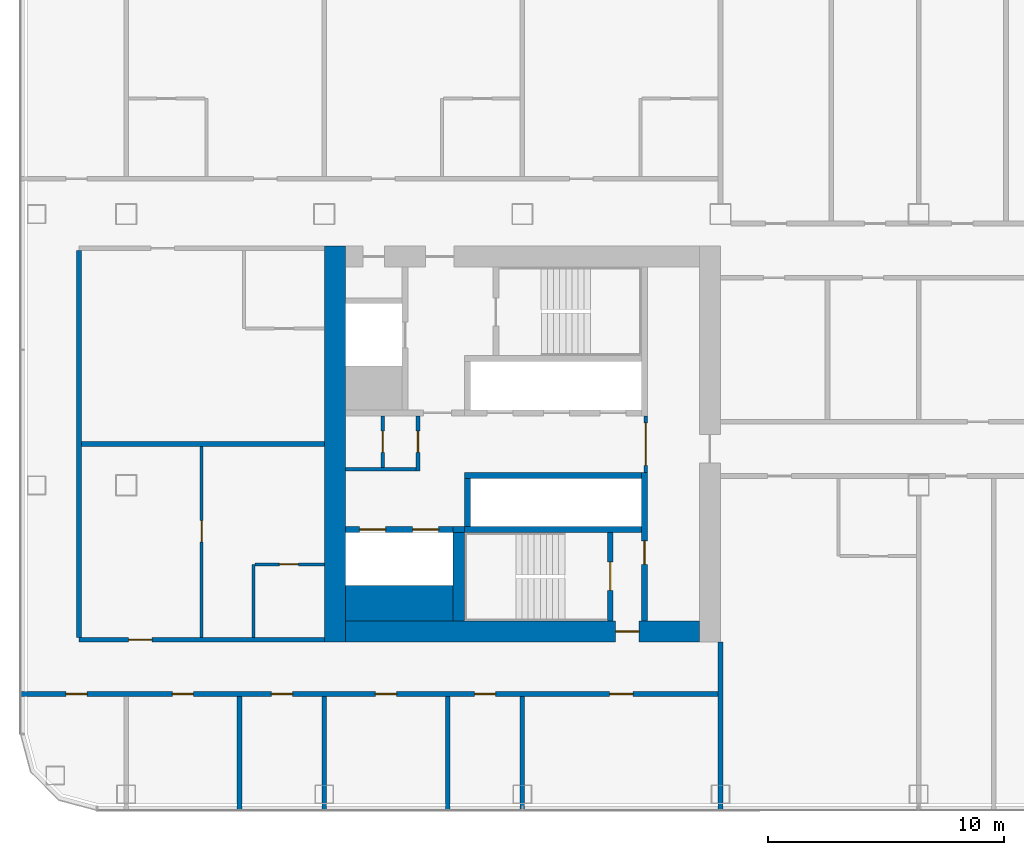
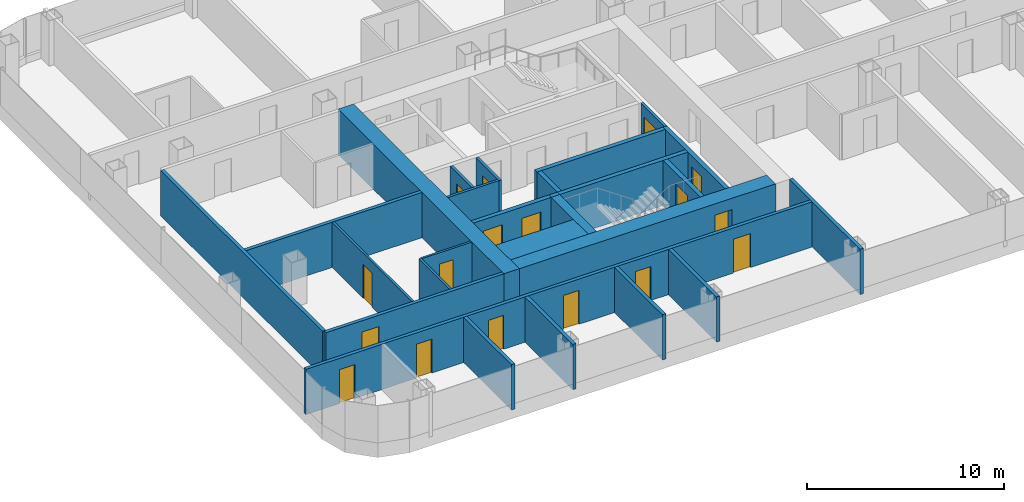
# One storey, part 15 of 29: 27 walls, 17 doors, 17 openings.
"""IFC4 building model written with IfcOpenShell, lengths in metres."""

from ifc_helpers import new_model, si_unit, direction, frame, frame_2d, origin, place, context, subcontext, project, spatial, rectangle, extrude, material, layer, layer_set, type_object, element, fill, save


model = new_model("IFC4")

# Units and contexts
model_context = context("Model", 3, precision=1e-05, world=origin(), true_north=direction((0.0, 1.0)))
body_context = subcontext(model_context, "Body", "Model", "MODEL_VIEW")
ifc_project = project(units=[si_unit("LENGTHUNIT", "METRE"), si_unit("AREAUNIT", "SQUARE_METRE"), si_unit("VOLUMEUNIT", "CUBIC_METRE"), si_unit("PLANEANGLEUNIT", "RADIAN"), si_unit("MASSUNIT", "GRAM", prefix="KILO")], contexts=[model_context])

# Site, building, storey
site_placement = place(None, origin())
site = spatial("IfcSite", under=ifc_project, at=site_placement, CompositionType="ELEMENT")
building_placement = place(site_placement, origin())
building = spatial("IfcBuilding", under=site, at=building_placement, Name="Hakoniwa Tower and Hamabe Station Hall", CompositionType="ELEMENT")
storey_placement = place(building_placement, frame((0.0, 0.0, 91.39990234375)))
storey = spatial("IfcBuildingStorey", under=building, at=storey_placement, Name="L25", CompositionType="ELEMENT", Elevation=91.39990234375)

# Wall, opening, door
ifc_material_1 = material(Name="Gypsum board partition", Category="gypsum")
ifc_layer_1 = layer(ifc_material_1, 0.125)
ifc_layer_set_1 = layer_set([ifc_layer_1], Name="Bathroom Partition 125")
wall_type_1 = type_object("IfcWallType", Name="Bathroom Partition 125", PredefinedType="PARTITIONING", material=ifc_layer_set_1)
wall_1_placement = place(storey_placement, frame((-36.53759765625, -5.10009765625, 0.0), z_axis=(0.0, 0.0, 1.0), x_axis=(1.0, 0.0, 0.0)))
wall_1 = element("IfcWall", 1, at=wall_1_placement, inside=storey, type_object=wall_type_1, Name="GW-L25-005", PredefinedType="PARTITIONING", context=body_context, shape_type="SweptSolid", body=[
    extrude(rectangle(XDim=2.9375, YDim=0.125, at=frame_2d((1.46875, 0.0))), origin(), (0.0, 0.0, 1.0), 2.800048828125),
])
opening_1_placement = place(wall_1_placement, frame((1.03759765625, 0.0, 0.0)))
opening_1 = element("IfcOpeningElement", 2, at=opening_1_placement, cuts=wall_1, Name="Opening GD-G2A1-16", PredefinedType="OPENING", context=body_context, shape_type="SweptSolid", body=[
    extrude(rectangle(XDim=0.800048828125, YDim=2.10009765625, at=frame_2d((0.39990234375, 1.050048828125))), frame((0.0, 0.072509765625, 0.0), z_axis=(0.0, -1.0, 0.0), x_axis=(1.0, 0.0, 0.0)), (0.0, 0.0, 1.0), 0.14501953125),
])
ifc_material_2 = material(Name="Timber door leaf", Category="wood")
door_type_1 = type_object("IfcDoorType", Name="Bathroom Door 800", OperationType="SINGLE_SWING_LEFT", PredefinedType="DOOR", material=ifc_material_2)
door_1_placement = place(opening_1_placement, origin())
door_1 = element("IfcDoor", 3, at=door_1_placement, inside=storey, type_object=door_type_1, Name="Door GD-G2A1-16", OperationType="SINGLE_SWING_LEFT", OverallHeight=2.10009765625, OverallWidth=0.800048828125, PredefinedType="DOOR", context=body_context, shape_type="SweptSolid", body=[
    extrude(rectangle(XDim=0.800048828125, YDim=2.10009765625, at=frame_2d((0.39990234375, 1.050048828125))), frame((0.0, 0.02490234375, 0.0), z_axis=(0.0, -1.0, 0.0), x_axis=(1.0, 0.0, 0.0)), (0.0, 0.0, 1.0), 0.050048828125),
])
fill(opening_1, door_1)

# Wall
wall_2_placement = place(storey_placement, frame((-36.60009765625, -8.199951171875, 0.0), z_axis=(0.0, 0.0, 1.0), x_axis=(0.0, 1.0, 0.0)))
element("IfcWall", 4, at=wall_2_placement, inside=storey, type_object=wall_type_1, Name="GW-L25-033", PredefinedType="PARTITIONING", context=body_context, shape_type="SweptSolid", body=[
    extrude(rectangle(XDim=3.099853515625, YDim=0.125, at=frame_2d((1.5498046875, 0.0))), origin(), (0.0, 0.0, 1.0), 2.800048828125),
])

# Wall, opening, door
ifc_material_3 = material(Name="Gypsum board partition")
ifc_layer_2 = layer(ifc_material_3, 0.14990234375)
ifc_layer_set_2 = layer_set([ifc_layer_2], Name="CORE PARTITION 150 EI 60")
wall_type_2 = type_object("IfcWallType", Name="CORE PARTITION 150 EI 60", PredefinedType="PARTITIONING", material=ifc_layer_set_2)
wall_3_placement = place(storey_placement, frame((-19.97509765625, -1.199951171875, 0.0), z_axis=(0.0, 0.0, 1.0), x_axis=(0.0, 1.0, 0.0)))
wall_3 = element("IfcWall", 5, at=wall_3_placement, inside=storey, type_object=wall_type_2, Name="Core partition PL0 west", PredefinedType="PARTITIONING", context=body_context, shape_type="SweptSolid", body=[
    extrude(rectangle(XDim=2.39990234375, YDim=0.14990234375, at=frame_2d((1.199951171875, 0.0))), origin(), (0.0, 0.0, 1.0), 2.800048828125),
])
opening_2_placement = place(wall_3_placement, frame((0.300048828125, 0.0, 0.0)))
opening_2 = element("IfcOpeningElement", 6, at=opening_2_placement, cuts=wall_3, Name="Opening CD-W-LP0-18", PredefinedType="OPENING", context=body_context, shape_type="SweptSolid", body=[
    extrude(rectangle(XDim=1.800048828125, YDim=2.10009765625, at=frame_2d((0.89990234375, 1.050048828125))), frame((0.0, 0.0849609375, 0.0), z_axis=(0.0, -1.0, 0.0), x_axis=(1.0, 0.0, 0.0)), (0.0, 0.0, 1.0), 0.169921875),
])
ifc_material_4 = material(Name="Steel fire door", Category="steel")
door_type_2 = type_object("IfcDoorType", Name="CORE DOOR 1800 FD60", OperationType="DOUBLE_DOOR_SINGLE_SWING", PredefinedType="DOOR", material=ifc_material_4)
door_2_placement = place(opening_2_placement, origin())
door_2 = element("IfcDoor", 7, at=door_2_placement, inside=storey, type_object=door_type_2, Name="Lift lobby partition door", OperationType="DOUBLE_DOOR_SINGLE_SWING", OverallHeight=2.10009765625, OverallWidth=1.800048828125, PredefinedType="DOOR", context=body_context, shape_type="SweptSolid", body=[
    extrude(rectangle(XDim=1.800048828125, YDim=2.10009765625, at=frame_2d((0.89990234375, 1.050048828125))), frame((0.0, 0.02490234375, 0.0), z_axis=(0.0, -1.0, 0.0), x_axis=(1.0, 0.0, 0.0)), (0.0, 0.0, 1.0), 0.050048828125),
])
fill(opening_2, door_2)

wall_4_placement = place(storey_placement, frame((-29.625, -1.14990234375, 0.0), z_axis=(0.0, 0.0, 1.0), x_axis=(0.0, 1.0, 0.0)))
wall_4 = element("IfcWall", 8, at=wall_4_placement, inside=storey, type_object=wall_type_2, Name="Core partition PW0 west", PredefinedType="PARTITIONING", context=body_context, shape_type="SweptSolid", body=[
    extrude(rectangle(XDim=2.349853515625, YDim=0.14990234375, at=frame_2d((1.1748046875, 0.0))), origin(), (0.0, 0.0, 1.0), 2.800048828125),
])
opening_3_placement = place(wall_4_placement, frame((0.800048828125, 0.0, 0.0)))
opening_3 = element("IfcOpeningElement", 9, at=opening_3_placement, cuts=wall_4, Name="Opening CD-W-RM1-9", PredefinedType="OPENING", context=body_context, shape_type="SweptSolid", body=[
    extrude(rectangle(XDim=0.89990234375, YDim=2.10009765625, at=frame_2d((0.449951171875, 1.050048828125))), frame((0.0, 0.0849609375, 0.0), z_axis=(0.0, -1.0, 0.0), x_axis=(1.0, 0.0, 0.0)), (0.0, 0.0, 1.0), 0.169921875),
])
ifc_material_5 = material(Name="Steel fire door", Category="steel")
door_type_3 = type_object("IfcDoorType", Name="CORE DOOR 900 FD30", OperationType="NOTDEFINED", PredefinedType="DOOR", material=ifc_material_5)
door_3_placement = place(opening_3_placement, origin())
door_3 = element("IfcDoor", 10, at=door_3_placement, inside=storey, type_object=door_type_3, Name="Store room door", OperationType="SINGLE_SWING_LEFT", OverallHeight=2.10009765625, OverallWidth=0.89990234375, PredefinedType="DOOR", context=body_context, shape_type="SweptSolid", body=[
    extrude(rectangle(XDim=0.89990234375, YDim=2.10009765625, at=frame_2d((0.449951171875, 1.050048828125))), frame((0.0, 0.02490234375, 0.0), z_axis=(0.0, -1.0, 0.0), x_axis=(1.0, 0.0, 0.0)), (0.0, 0.0, 1.0), 0.050048828125),
])
fill(opening_3, door_3)

# Wall
wall_5_placement = place(storey_placement, frame((-32.699951171875, -1.074951171875, 0.0), z_axis=(0.0, 0.0, 1.0), x_axis=(1.0, 0.0, 0.0)))
element("IfcWall", 11, at=wall_5_placement, inside=storey, type_object=wall_type_2, Name="Core partition PS west", PredefinedType="PARTITIONING", context=body_context, shape_type="SweptSolid", body=[
    extrude(rectangle(XDim=3.0, YDim=0.14990234375, at=frame_2d((1.5, 0.0))), origin(), (0.0, 0.0, 1.0), 2.800048828125),
])

# Wall, opening, door
wall_6_placement = place(storey_placement, frame((-31.125, -1.0, 0.0), z_axis=(0.0, 0.0, 1.0), x_axis=(0.0, 1.0, 0.0)))
wall_6 = element("IfcWall", 12, at=wall_6_placement, inside=storey, type_object=wall_type_2, Name="Core partition PW1 west", PredefinedType="PARTITIONING", context=body_context, shape_type="SweptSolid", body=[
    extrude(rectangle(XDim=2.199951171875, YDim=0.14990234375, at=frame_2d((1.10009765625, 0.0))), origin(), (0.0, 0.0, 1.0), 2.800048828125),
])
opening_4_placement = place(wall_6_placement, frame((0.64990234375, 0.0, 0.0)))
opening_4 = element("IfcOpeningElement", 13, at=opening_4_placement, cuts=wall_6, Name="Opening CD-W-RM2-9", PredefinedType="OPENING", context=body_context, shape_type="SweptSolid", body=[
    extrude(rectangle(XDim=0.89990234375, YDim=2.10009765625, at=frame_2d((0.449951171875, 1.050048828125))), frame((0.0, 0.0849609375, 0.0), z_axis=(0.0, -1.0, 0.0), x_axis=(1.0, 0.0, 0.0)), (0.0, 0.0, 1.0), 0.169921875),
])
door_4_placement = place(opening_4_placement, origin())
door_4 = element("IfcDoor", 14, at=door_4_placement, inside=storey, type_object=door_type_3, Name="Store room door", OperationType="SINGLE_SWING_LEFT", OverallHeight=2.10009765625, OverallWidth=0.89990234375, PredefinedType="DOOR", context=body_context, shape_type="SweptSolid", body=[
    extrude(rectangle(XDim=0.89990234375, YDim=2.10009765625, at=frame_2d((0.449951171875, 1.050048828125))), frame((0.0, 0.02490234375, 0.0), z_axis=(0.0, -1.0, 0.0), x_axis=(1.0, 0.0, 0.0)), (0.0, 0.0, 1.0), 0.050048828125),
])
fill(opening_4, door_4)

# Wall
ifc_material_6 = material(Name="Concrete C72", Category="concrete")
ifc_layer_3 = layer(ifc_material_6, 0.89990234375)
ifc_layer_set_3 = layer_set([ifc_layer_3], Name="CORE WALL 900 C72")
wall_type_3 = type_object("IfcWallType", Name="CORE WALL 900 C72", PredefinedType="SHEAR", material=ifc_layer_set_3)
wall_7_placement = place(storey_placement, frame((-33.14990234375, -8.39990234375, 0.0), z_axis=(0.0, 0.0, 1.0), x_axis=(0.0, 1.0, 0.0)))
element("IfcWall", 15, at=wall_7_placement, inside=storey, type_object=wall_type_3, Name="Core wall OUTER west", PredefinedType="SHEAR", context=body_context, shape_type="SweptSolid", body=[
    extrude(rectangle(XDim=16.7998046875, YDim=0.89990234375, at=frame_2d((8.39990234375, 0.0))), origin(), (0.0, 0.0, 1.0), 2.800048828125),
])

# Wall, opening, door
wall_8_placement = place(storey_placement, frame((-32.699951171875, -7.949951171875, 0.0), z_axis=(0.0, 0.0, 1.0), x_axis=(1.0, 0.0, 0.0)))
wall_8 = element("IfcWall", 16, at=wall_8_placement, inside=storey, type_object=wall_type_3, Name="Core wall SOUTH west", PredefinedType="SHEAR", context=body_context, shape_type="SweptSolid", body=[
    extrude(rectangle(XDim=15.0, YDim=0.89990234375, at=frame_2d((7.5, 0.0))), origin(), (0.0, 0.0, 1.0), 2.800048828125),
])
opening_5_placement = place(wall_8_placement, frame((11.449951171875, 0.0, 0.0)))
opening_5 = element("IfcOpeningElement", 17, at=opening_5_placement, cuts=wall_8, Name="Opening CD-W-FS3-10", PredefinedType="OPENING", context=body_context, shape_type="SweptSolid", body=[
    extrude(rectangle(XDim=1.0, YDim=2.10009765625, at=frame_2d((0.5, 1.050048828125))), frame((0.0, 0.4599609375, 0.0), z_axis=(0.0, -1.0, 0.0), x_axis=(1.0, 0.0, 0.0)), (0.0, 0.0, 1.0), 0.919921875),
])
ifc_material_7 = material(Name="Steel fire door", Category="steel")
door_type_4 = type_object("IfcDoorType", Name="CORE DOOR 1000 FD60", OperationType="NOTDEFINED", PredefinedType="DOOR", material=ifc_material_7)
door_5_placement = place(opening_5_placement, origin())
door_5 = element("IfcDoor", 18, at=door_5_placement, inside=storey, type_object=door_type_4, Name="Stair vestibule door", OperationType="SINGLE_SWING_RIGHT", OverallHeight=2.10009765625, OverallWidth=1.0, PredefinedType="DOOR", context=body_context, shape_type="SweptSolid", body=[
    extrude(rectangle(XDim=1.0, YDim=2.10009765625, at=frame_2d((0.5, 1.050048828125))), frame((0.0, 0.02490234375, 0.0), z_axis=(0.0, -1.0, 0.0), x_axis=(1.0, 0.0, 0.0)), (0.0, 0.0, 1.0), 0.050048828125),
])
fill(opening_5, door_5)

# Wall
ifc_material_8 = material(Name="Concrete C72", Category="concrete")
ifc_layer_4 = layer(ifc_material_8, 1.5)
ifc_layer_set_4 = layer_set([ifc_layer_4], Name="CORE WEB WALL 1500 C72")
wall_type_4 = type_object("IfcWallType", Name="CORE WEB WALL 1500 C72", PredefinedType="SHEAR", material=ifc_layer_set_4)
wall_9_placement = place(storey_placement, frame((-32.699951171875, -6.75, 0.0), z_axis=(0.0, 0.0, 1.0), x_axis=(1.0, 0.0, 0.0)))
element("IfcWall", 19, at=wall_9_placement, inside=storey, type_object=wall_type_4, Name="Core wall SER west", PredefinedType="SHEAR", context=body_context, shape_type="SweptSolid", body=[
    extrude(rectangle(XDim=4.550048828125, YDim=1.5, at=frame_2d((2.27490234375, 0.0))), origin(), (0.0, 0.0, 1.0), 2.800048828125),
])

# Wall, opening, door
ifc_material_9 = material(Name="Concrete C72", Category="concrete")
ifc_layer_5 = layer(ifc_material_9, 0.25)
ifc_layer_set_5 = layer_set([ifc_layer_5], Name="CORE WEB WALL 250 C72")
wall_type_5 = type_object("IfcWallType", Name="CORE WEB WALL 250 C72", PredefinedType="SHEAR", material=ifc_layer_set_5)
wall_10_placement = place(storey_placement, frame((-20.02490234375, -7.5, 0.0), z_axis=(0.0, 0.0, 1.0), x_axis=(0.0, 1.0, 0.0)))
wall_10 = element("IfcWall", 20, at=wall_10_placement, inside=storey, type_object=wall_type_5, Name="Core wall W1S west", PredefinedType="SHEAR", context=body_context, shape_type="SweptSolid", body=[
    extrude(rectangle(XDim=6.300048828125, YDim=0.25, at=frame_2d((3.14990234375, 0.0))), origin(), (0.0, 0.0, 1.0), 2.800048828125),
])
opening_6_placement = place(wall_10_placement, frame((2.39990234375, 0.0, 0.0)))
opening_6 = element("IfcOpeningElement", 21, at=opening_6_placement, cuts=wall_10, Name="Opening CD-W-VS-10", PredefinedType="OPENING", context=body_context, shape_type="SweptSolid", body=[
    extrude(rectangle(XDim=1.0, YDim=2.10009765625, at=frame_2d((0.5, 1.050048828125))), frame((0.0, 0.135009765625, 0.0), z_axis=(0.0, -1.0, 0.0), x_axis=(1.0, 0.0, 0.0)), (0.0, 0.0, 1.0), 0.27001953125),
])
door_6_placement = place(opening_6_placement, origin())
door_6 = element("IfcDoor", 22, at=door_6_placement, inside=storey, type_object=door_type_4, Name="Stair vestibule door", OperationType="SINGLE_SWING_LEFT", OverallHeight=2.10009765625, OverallWidth=1.0, PredefinedType="DOOR", context=body_context, shape_type="SweptSolid", body=[
    extrude(rectangle(XDim=1.0, YDim=2.10009765625, at=frame_2d((0.5, 1.050048828125))), frame((0.0, 0.02490234375, 0.0), z_axis=(0.0, -1.0, 0.0), x_axis=(1.0, 0.0, 0.0)), (0.0, 0.0, 1.0), 0.050048828125),
])
fill(opening_6, door_6)

# Walls
wall_11_placement = place(storey_placement, frame((-27.64990234375, -1.324951171875, 0.0), z_axis=(0.0, 0.0, 1.0), x_axis=(1.0, 0.0, 0.0)))
element("IfcWall", 23, at=wall_11_placement, inside=storey, type_object=wall_type_5, Name="Core wall SF west", PredefinedType="SHEAR", context=body_context, shape_type="SweptSolid", body=[
    extrude(rectangle(XDim=7.5, YDim=0.25, at=frame_2d((3.75, 0.0))), origin(), (0.0, 0.0, 1.0), 2.800048828125),
])
wall_12_placement = place(storey_placement, frame((-27.52490234375, -3.5, 0.0), z_axis=(0.0, 0.0, 1.0), x_axis=(0.0, 1.0, 0.0)))
element("IfcWall", 24, at=wall_12_placement, inside=storey, type_object=wall_type_5, Name="Core wall SE west", PredefinedType="SHEAR", context=body_context, shape_type="SweptSolid", body=[
    extrude(rectangle(XDim=2.050048828125, YDim=0.25, at=frame_2d((1.02490234375, 0.0))), origin(), (0.0, 0.0, 1.0), 2.800048828125),
])
wall_13_placement = place(storey_placement, frame((-27.64990234375, -3.625, 0.0), z_axis=(0.0, 0.0, 1.0), x_axis=(1.0, 0.0, 0.0)))
element("IfcWall", 25, at=wall_13_placement, inside=storey, type_object=wall_type_5, Name="Core wall SR west", PredefinedType="SHEAR", context=body_context, shape_type="SweptSolid", body=[
    extrude(rectangle(XDim=7.5, YDim=0.25, at=frame_2d((3.75, 0.0))), origin(), (0.0, 0.0, 1.0), 2.800048828125),
])

# Wall, opening, door
wall_14_placement = place(storey_placement, frame((-21.47509765625, -7.5, 0.0), z_axis=(0.0, 0.0, 1.0), x_axis=(0.0, 1.0, 0.0)))
wall_14 = element("IfcWall", 26, at=wall_14_placement, inside=storey, type_object=wall_type_5, Name="Core wall VE west", PredefinedType="SHEAR", context=body_context, shape_type="SweptSolid", body=[
    extrude(rectangle(XDim=3.75, YDim=0.25, at=frame_2d((1.875, 0.0))), origin(), (0.0, 0.0, 1.0), 2.800048828125),
])
opening_7_placement = place(wall_14_placement, frame((1.300048828125, 0.0, 0.0)))
opening_7 = element("IfcOpeningElement", 27, at=opening_7_placement, cuts=wall_14, Name="Opening CD-W-SS-12", PredefinedType="OPENING", context=body_context, shape_type="SweptSolid", body=[
    extrude(rectangle(XDim=1.199951171875, YDim=2.10009765625, at=frame_2d((0.60009765625, 1.050048828125))), frame((0.0, 0.135009765625, 0.0), z_axis=(0.0, -1.0, 0.0), x_axis=(1.0, 0.0, 0.0)), (0.0, 0.0, 1.0), 0.27001953125),
])
ifc_material_10 = material(Name="Steel fire door", Category="steel")
door_type_5 = type_object("IfcDoorType", Name="CORE DOOR 1200 FD60", OperationType="DOUBLE_DOOR_SINGLE_SWING", PredefinedType="DOOR", material=ifc_material_10)
door_7_placement = place(opening_7_placement, origin())
door_7 = element("IfcDoor", 28, at=door_7_placement, inside=storey, type_object=door_type_5, Name="Escape stair door", OperationType="DOUBLE_DOOR_SINGLE_SWING", OverallHeight=2.10009765625, OverallWidth=1.199951171875, PredefinedType="DOOR", context=body_context, shape_type="SweptSolid", body=[
    extrude(rectangle(XDim=1.199951171875, YDim=2.10009765625, at=frame_2d((0.60009765625, 1.050048828125))), frame((0.0, 0.02490234375, 0.0), z_axis=(0.0, -1.0, 0.0), x_axis=(1.0, 0.0, 0.0)), (0.0, 0.0, 1.0), 0.050048828125),
])
fill(opening_7, door_7)

# Wall, openings, doors
wall_15_placement = place(storey_placement, frame((-32.699951171875, -3.625, 0.0), z_axis=(0.0, 0.0, 1.0), x_axis=(1.0, 0.0, 0.0)))
wall_15 = element("IfcWall", 29, at=wall_15_placement, inside=storey, type_object=wall_type_5, Name="Core wall SEF west", PredefinedType="SHEAR", context=body_context, shape_type="SweptSolid", body=[
    extrude(rectangle(XDim=4.550048828125, YDim=0.25, at=frame_2d((2.27490234375, 0.0))), origin(), (0.0, 0.0, 1.0), 2.800048828125),
])
opening_8_placement = place(wall_15_placement, frame((2.85009765625, 0.0, 0.0)))
opening_8 = element("IfcOpeningElement", 30, at=opening_8_placement, cuts=wall_15, Name="Opening LD-SV1", PredefinedType="OPENING", context=body_context, shape_type="SweptSolid", body=[
    extrude(rectangle(XDim=1.10009765625, YDim=2.10009765625, at=frame_2d((0.550048828125, 1.050048828125))), frame((0.0, 0.135009765625, 0.0), z_axis=(0.0, -1.0, 0.0), x_axis=(1.0, 0.0, 0.0)), (0.0, 0.0, 1.0), 0.27001953125),
])
opening_9_placement = place(wall_15_placement, frame((0.60009765625, 0.0, 0.0)))
opening_9 = element("IfcOpeningElement", 31, at=opening_9_placement, cuts=wall_15, Name="Opening LD-SV2", PredefinedType="OPENING", context=body_context, shape_type="SweptSolid", body=[
    extrude(rectangle(XDim=1.10009765625, YDim=2.10009765625, at=frame_2d((0.550048828125, 1.050048828125))), frame((0.0, 0.135009765625, 0.0), z_axis=(0.0, -1.0, 0.0), x_axis=(1.0, 0.0, 0.0)), (0.0, 0.0, 1.0), 0.27001953125),
])
ifc_material_11 = material(Name="Stainless steel SUS304", Category="steel")
door_type_6 = type_object("IfcDoorType", Name="LIFT LANDING DOOR 1100 FD60", OperationType="DOUBLE_DOOR_SLIDING", PredefinedType="DOOR", material=ifc_material_11)
door_8_placement = place(opening_8_placement, origin())
door_8 = element("IfcDoor", 32, at=door_8_placement, inside=storey, type_object=door_type_6, Name="Lift landing door SV1 L25", OperationType="DOUBLE_DOOR_SLIDING", OverallHeight=2.10009765625, OverallWidth=1.10009765625, PredefinedType="DOOR", context=body_context, shape_type="SweptSolid", body=[
    extrude(rectangle(XDim=1.10009765625, YDim=2.10009765625, at=frame_2d((0.550048828125, 1.050048828125))), frame((0.0, 0.02490234375, 0.0), z_axis=(0.0, -1.0, 0.0), x_axis=(1.0, 0.0, 0.0)), (0.0, 0.0, 1.0), 0.050048828125),
])
fill(opening_8, door_8)
door_9_placement = place(opening_9_placement, origin())
door_9 = element("IfcDoor", 33, at=door_9_placement, inside=storey, type_object=door_type_6, Name="Lift landing door SV2 L25", OperationType="DOUBLE_DOOR_SLIDING", OverallHeight=2.10009765625, OverallWidth=1.10009765625, PredefinedType="DOOR", context=body_context, shape_type="SweptSolid", body=[
    extrude(rectangle(XDim=1.10009765625, YDim=2.10009765625, at=frame_2d((0.550048828125, 1.050048828125))), frame((0.0, 0.02490234375, 0.0), z_axis=(0.0, -1.0, 0.0), x_axis=(1.0, 0.0, 0.0)), (0.0, 0.0, 1.0), 0.050048828125),
])
fill(opening_9, door_9)

# Walls
wall_16_placement = place(storey_placement, frame((-28.14990234375, -3.625, 0.0), z_axis=(0.0, 0.0, 1.0), x_axis=(1.0, 0.0, 0.0)))
element("IfcWall", 34, at=wall_16_placement, inside=storey, type_object=wall_type_5, Name="Core wall SRK west", PredefinedType="SHEAR", context=body_context, shape_type="SweptSolid", body=[
    extrude(rectangle(XDim=0.5, YDim=0.25, at=frame_2d((0.25, 0.0))), origin(), (0.0, 0.0, 1.0), 2.800048828125),
])
ifc_material_12 = material(Name="Concrete C72", Category="concrete")
ifc_layer_6 = layer(ifc_material_12, 0.5)
ifc_layer_set_6 = layer_set([ifc_layer_6], Name="CORE WEB WALL 500 C72")
wall_type_6 = type_object("IfcWallType", Name="CORE WEB WALL 500 C72", PredefinedType="SHEAR", material=ifc_layer_set_6)
wall_17_placement = place(storey_placement, frame((-27.89990234375, -7.5, 0.0), z_axis=(0.0, 0.0, 1.0), x_axis=(0.0, 1.0, 0.0)))
element("IfcWall", 35, at=wall_17_placement, inside=storey, type_object=wall_type_6, Name="Core wall SSE west", PredefinedType="SHEAR", context=body_context, shape_type="SweptSolid", body=[
    extrude(rectangle(XDim=3.75, YDim=0.5, at=frame_2d((1.875, 0.0))), origin(), (0.0, 0.0, 1.0), 2.800048828125),
])

# Wall, openings, doors
ifc_material_13 = material(Name="Fire-rated gypsum board partition", Category="gypsum")
ifc_layer_7 = layer(ifc_material_13, 0.199951171875)
ifc_layer_set_7 = layer_set([ifc_layer_7], Name="Corridor Wall 200")
wall_type_7 = type_object("IfcWallType", Name="Corridor Wall 200", PredefinedType="PARTITIONING", material=ifc_layer_set_7)
wall_18_placement = place(storey_placement, frame((-46.5, -10.60009765625, 0.0), z_axis=(0.0, 0.0, 1.0), x_axis=(1.0, 0.0, 0.0)))
wall_18 = element("IfcWall", 36, at=wall_18_placement, inside=storey, type_object=wall_type_7, Name="GW-L25-001", PredefinedType="PARTITIONING", context=body_context, shape_type="SweptSolid", body=[
    extrude(rectangle(XDim=29.699951171875, YDim=0.199951171875, at=frame_2d((14.85009765625, 0.0))), origin(), (0.0, 0.0, 1.0), 2.800048828125),
])
opening_10_placement = place(wall_18_placement, frame((1.949951171875, 0.0, 0.0)))
opening_10 = element("IfcOpeningElement", 37, at=opening_10_placement, cuts=wall_18, Name="Opening GD-G2A1-01", PredefinedType="OPENING", context=body_context, shape_type="SweptSolid", body=[
    extrude(rectangle(XDim=0.89990234375, YDim=2.10009765625, at=frame_2d((0.449951171875, 1.050048828125))), frame((0.0, 0.10986328125, 0.0), z_axis=(0.0, -1.0, 0.0), x_axis=(1.0, 0.0, 0.0)), (0.0, 0.0, 1.0), 0.219970703125),
])
opening_11_placement = place(wall_18_placement, frame((6.455078125, 0.0, 0.0)))
opening_11 = element("IfcOpeningElement", 38, at=opening_11_placement, cuts=wall_18, Name="Opening GD-G2A1-02", PredefinedType="OPENING", context=body_context, shape_type="SweptSolid", body=[
    extrude(rectangle(XDim=0.89990234375, YDim=2.10009765625, at=frame_2d((0.449951171875, 1.050048828125))), frame((0.0, 0.10986328125, 0.0), z_axis=(0.0, -1.0, 0.0), x_axis=(1.0, 0.0, 0.0)), (0.0, 0.0, 1.0), 0.219970703125),
])
opening_12_placement = place(wall_18_placement, frame((10.655029296875, 0.0, 0.0)))
opening_12 = element("IfcOpeningElement", 39, at=opening_12_placement, cuts=wall_18, Name="Opening GD-G2A1-03", PredefinedType="OPENING", context=body_context, shape_type="SweptSolid", body=[
    extrude(rectangle(XDim=0.89990234375, YDim=2.10009765625, at=frame_2d((0.449951171875, 1.050048828125))), frame((0.0, 0.10986328125, 0.0), z_axis=(0.0, -1.0, 0.0), x_axis=(1.0, 0.0, 0.0)), (0.0, 0.0, 1.0), 0.219970703125),
])
opening_13_placement = place(wall_18_placement, frame((15.070068359375, 0.0, 0.0)))
opening_13 = element("IfcOpeningElement", 40, at=opening_13_placement, cuts=wall_18, Name="Opening GD-G2A1-04", PredefinedType="OPENING", context=body_context, shape_type="SweptSolid", body=[
    extrude(rectangle(XDim=0.89990234375, YDim=2.10009765625, at=frame_2d((0.449951171875, 1.050048828125))), frame((0.0, 0.10986328125, 0.0), z_axis=(0.0, -1.0, 0.0), x_axis=(1.0, 0.0, 0.0)), (0.0, 0.0, 1.0), 0.219970703125),
])
opening_14_placement = place(wall_18_placement, frame((19.27001953125, 0.0, 0.0)))
opening_14 = element("IfcOpeningElement", 41, at=opening_14_placement, cuts=wall_18, Name="Opening GD-G2A1-05", PredefinedType="OPENING", context=body_context, shape_type="SweptSolid", body=[
    extrude(rectangle(XDim=0.89990234375, YDim=2.10009765625, at=frame_2d((0.449951171875, 1.050048828125))), frame((0.0, 0.10986328125, 0.0), z_axis=(0.0, -1.0, 0.0), x_axis=(1.0, 0.0, 0.0)), (0.0, 0.0, 1.0), 0.219970703125),
])
opening_15_placement = place(wall_18_placement, frame((25.0, 0.0, 0.0)))
opening_15 = element("IfcOpeningElement", 42, at=opening_15_placement, cuts=wall_18, Name="Opening GD-G2A1-06", PredefinedType="OPENING", context=body_context, shape_type="SweptSolid", body=[
    extrude(rectangle(XDim=1.0, YDim=2.10009765625, at=frame_2d((0.5, 1.050048828125))), frame((0.0, 0.10986328125, 0.0), z_axis=(0.0, -1.0, 0.0), x_axis=(1.0, 0.0, 0.0)), (0.0, 0.0, 1.0), 0.219970703125),
])
ifc_material_14 = material(Name="Timber door leaf", Category="wood")
door_type_7 = type_object("IfcDoorType", Name="Guest Entrance Door 1000", OperationType="SINGLE_SWING_LEFT", PredefinedType="DOOR", material=ifc_material_14)
door_10_placement = place(opening_15_placement, origin())
door_10 = element("IfcDoor", 43, at=door_10_placement, inside=storey, type_object=door_type_7, Name="Door GD-G2A1-06", OperationType="SINGLE_SWING_LEFT", OverallHeight=2.10009765625, OverallWidth=1.0, PredefinedType="DOOR", context=body_context, shape_type="SweptSolid", body=[
    extrude(rectangle(XDim=1.0, YDim=2.10009765625, at=frame_2d((0.5, 1.050048828125))), frame((0.0, 0.02490234375, 0.0), z_axis=(0.0, -1.0, 0.0), x_axis=(1.0, 0.0, 0.0)), (0.0, 0.0, 1.0), 0.050048828125),
])
fill(opening_15, door_10)
ifc_material_15 = material(Name="Timber door leaf", Category="wood")
door_type_8 = type_object("IfcDoorType", Name="Service Door 900", OperationType="SINGLE_SWING_LEFT", PredefinedType="DOOR", material=ifc_material_15)
door_11_placement = place(opening_10_placement, origin())
door_11 = element("IfcDoor", 44, at=door_11_placement, inside=storey, type_object=door_type_8, Name="Door GD-G2A1-01", OperationType="SINGLE_SWING_RIGHT", OverallHeight=2.10009765625, OverallWidth=0.89990234375, PredefinedType="DOOR", context=body_context, shape_type="SweptSolid", body=[
    extrude(rectangle(XDim=0.89990234375, YDim=2.10009765625, at=frame_2d((0.449951171875, 1.050048828125))), frame((0.0, 0.02490234375, 0.0), z_axis=(0.0, -1.0, 0.0), x_axis=(1.0, 0.0, 0.0)), (0.0, 0.0, 1.0), 0.050048828125),
])
fill(opening_10, door_11)
door_12_placement = place(opening_11_placement, origin())
door_12 = element("IfcDoor", 45, at=door_12_placement, inside=storey, type_object=door_type_8, Name="Door GD-G2A1-02", OperationType="SINGLE_SWING_LEFT", OverallHeight=2.10009765625, OverallWidth=0.89990234375, PredefinedType="DOOR", context=body_context, shape_type="SweptSolid", body=[
    extrude(rectangle(XDim=0.89990234375, YDim=2.10009765625, at=frame_2d((0.449951171875, 1.050048828125))), frame((0.0, 0.02490234375, 0.0), z_axis=(0.0, -1.0, 0.0), x_axis=(1.0, 0.0, 0.0)), (0.0, 0.0, 1.0), 0.050048828125),
])
fill(opening_11, door_12)
door_13_placement = place(opening_12_placement, origin())
door_13 = element("IfcDoor", 46, at=door_13_placement, inside=storey, type_object=door_type_8, Name="Door GD-G2A1-03", OperationType="SINGLE_SWING_RIGHT", OverallHeight=2.10009765625, OverallWidth=0.89990234375, PredefinedType="DOOR", context=body_context, shape_type="SweptSolid", body=[
    extrude(rectangle(XDim=0.89990234375, YDim=2.10009765625, at=frame_2d((0.449951171875, 1.050048828125))), frame((0.0, 0.02490234375, 0.0), z_axis=(0.0, -1.0, 0.0), x_axis=(1.0, 0.0, 0.0)), (0.0, 0.0, 1.0), 0.050048828125),
])
fill(opening_12, door_13)
door_14_placement = place(opening_13_placement, origin())
door_14 = element("IfcDoor", 47, at=door_14_placement, inside=storey, type_object=door_type_8, Name="Door GD-G2A1-04", OperationType="SINGLE_SWING_LEFT", OverallHeight=2.10009765625, OverallWidth=0.89990234375, PredefinedType="DOOR", context=body_context, shape_type="SweptSolid", body=[
    extrude(rectangle(XDim=0.89990234375, YDim=2.10009765625, at=frame_2d((0.449951171875, 1.050048828125))), frame((0.0, 0.02490234375, 0.0), z_axis=(0.0, -1.0, 0.0), x_axis=(1.0, 0.0, 0.0)), (0.0, 0.0, 1.0), 0.050048828125),
])
fill(opening_13, door_14)
door_15_placement = place(opening_14_placement, origin())
door_15 = element("IfcDoor", 48, at=door_15_placement, inside=storey, type_object=door_type_8, Name="Door GD-G2A1-05", OperationType="SINGLE_SWING_RIGHT", OverallHeight=2.10009765625, OverallWidth=0.89990234375, PredefinedType="DOOR", context=body_context, shape_type="SweptSolid", body=[
    extrude(rectangle(XDim=0.89990234375, YDim=2.10009765625, at=frame_2d((0.449951171875, 1.050048828125))), frame((0.0, 0.02490234375, 0.0), z_axis=(0.0, -1.0, 0.0), x_axis=(1.0, 0.0, 0.0)), (0.0, 0.0, 1.0), 0.050048828125),
])
fill(opening_14, door_15)

# Wall, opening, door
wall_19_placement = place(storey_placement, frame((-44.0, -8.300048828125, 0.0), z_axis=(0.0, 0.0, 1.0), x_axis=(1.0, 0.0, 0.0)))
wall_19 = element("IfcWall", 49, at=wall_19_placement, inside=storey, type_object=wall_type_7, Name="GW-L25-003", PredefinedType="PARTITIONING", context=body_context, shape_type="SweptSolid", body=[
    extrude(rectangle(XDim=10.39990234375, YDim=0.199951171875, at=frame_2d((5.199951171875, 0.0))), origin(), (0.0, 0.0, 1.0), 2.800048828125),
])
opening_16_placement = place(wall_19_placement, frame((2.10009765625, 0.0, 0.0)))
opening_16 = element("IfcOpeningElement", 50, at=opening_16_placement, cuts=wall_19, Name="Opening GD-G2A1-14", PredefinedType="OPENING", context=body_context, shape_type="SweptSolid", body=[
    extrude(rectangle(XDim=1.0, YDim=2.10009765625, at=frame_2d((0.5, 1.050048828125))), frame((0.0, 0.10986328125, 0.0), z_axis=(0.0, -1.0, 0.0), x_axis=(1.0, 0.0, 0.0)), (0.0, 0.0, 1.0), 0.219970703125),
])
door_16_placement = place(opening_16_placement, origin())
door_16 = element("IfcDoor", 51, at=door_16_placement, inside=storey, type_object=door_type_7, Name="Door GD-G2A1-14", OperationType="SINGLE_SWING_RIGHT", OverallHeight=2.10009765625, OverallWidth=1.0, PredefinedType="DOOR", context=body_context, shape_type="SweptSolid", body=[
    extrude(rectangle(XDim=1.0, YDim=2.10009765625, at=frame_2d((0.5, 1.050048828125))), frame((0.0, 0.02490234375, 0.0), z_axis=(0.0, -1.0, 0.0), x_axis=(1.0, 0.0, 0.0)), (0.0, 0.0, 1.0), 0.050048828125),
])
fill(opening_16, door_16)

# Walls
ifc_material_16 = material(Name="Fire-rated gypsum board partition", Category="gypsum")
ifc_layer_8 = layer(ifc_material_16, 0.199951171875)
ifc_layer_set_8 = layer_set([ifc_layer_8], Name="Party Wall 200")
wall_type_8 = type_object("IfcWallType", Name="Party Wall 200", PredefinedType="PARTITIONING", material=ifc_layer_set_8)
wall_20_placement = place(storey_placement, frame((-43.89990234375, 0.0, 0.0), z_axis=(0.0, 0.0, 1.0), x_axis=(1.0, 0.0, 0.0)))
element("IfcWall", 52, at=wall_20_placement, inside=storey, type_object=wall_type_8, Name="GW-L25-009", PredefinedType="PARTITIONING", context=body_context, shape_type="SweptSolid", body=[
    extrude(rectangle(XDim=10.2998046875, YDim=0.199951171875, at=frame_2d((5.14990234375, 0.0))), origin(), (0.0, 0.0, 1.0), 2.800048828125),
])
wall_21_placement = place(storey_placement, frame((-44.0, -8.199951171875, 0.0), z_axis=(0.0, 0.0, 1.0), x_axis=(0.0, 1.0, 0.0)))
element("IfcWall", 53, at=wall_21_placement, inside=storey, type_object=wall_type_8, Name="GW-L25-026", PredefinedType="PARTITIONING", context=body_context, shape_type="SweptSolid", body=[
    extrude(rectangle(XDim=16.39990234375, YDim=0.199951171875, at=frame_2d((8.199951171875, 0.0))), origin(), (0.0, 0.0, 1.0), 2.800048828125),
])
for number, where, z_axis, x_axis, name in (
    (54, (-37.18994140625, -15.550048828125, 0.0), (0.0, 0.0, 1.0), (0.0, 1.0, 0.0), "GW-L25-031"),
    (55, (-33.60009765625, -15.550048828125, 0.0), (0.0, 0.0, 1.0), (0.0, 1.0, 0.0), "GW-L25-034"),
    (56, (-28.360107421875, -15.550048828125, 0.0), (0.0, 0.0, 1.0), (0.0, 1.0, 0.0), "GW-L25-037"),
    (57, (-25.199951171875, -15.550048828125, 0.0), (0.0, 0.0, 1.0), (0.0, 1.0, 0.0), "GW-L25-038"),
):
    element("IfcWall", number, at=place(storey_placement, frame(where, z_axis=z_axis, x_axis=x_axis)), inside=storey, type_object=wall_type_8, Name=name, PredefinedType="PARTITIONING", context=body_context, shape_type="SweptSolid", body=[
        extrude(rectangle(XDim=4.85009765625, YDim=0.199951171875, at=frame_2d((2.425048828125, 0.0))), origin(), (0.0, 0.0, 1.0), 2.800048828125),
    ])
wall_22_placement = place(storey_placement, frame((-16.800048828125, -15.550048828125, 0.0), z_axis=(0.0, 0.0, 1.0), x_axis=(0.0, 1.0, 0.0)))
element("IfcWall", 58, at=wall_22_placement, inside=storey, type_object=wall_type_8, Name="GW-L25-041", PredefinedType="PARTITIONING", context=body_context, shape_type="SweptSolid", body=[
    extrude(rectangle(XDim=7.16015625, YDim=0.199951171875, at=frame_2d((3.580078125, 0.0))), origin(), (0.0, 0.0, 1.0), 2.800048828125),
])

# Wall, opening, door
ifc_material_17 = material(Name="Gypsum board partition", Category="gypsum")
ifc_layer_9 = layer(ifc_material_17, 0.125)
ifc_layer_set_9 = layer_set([ifc_layer_9], Name="Room Partition 125")
wall_type_9 = type_object("IfcWallType", Name="Room Partition 125", PredefinedType="PARTITIONING", material=ifc_layer_set_9)
wall_23_placement = place(storey_placement, frame((-38.800048828125, -8.199951171875, 0.0), z_axis=(0.0, 0.0, 1.0), x_axis=(0.0, 1.0, 0.0)))
wall_23 = element("IfcWall", 59, at=wall_23_placement, inside=storey, type_object=wall_type_9, Name="GW-L25-029", PredefinedType="PARTITIONING", context=body_context, shape_type="SweptSolid", body=[
    extrude(rectangle(XDim=8.099853515625, YDim=0.125, at=frame_2d((4.0498046875, 0.0))), origin(), (0.0, 0.0, 1.0), 2.800048828125),
])
opening_17_placement = place(wall_23_placement, frame((4.050048828125, 0.0, 0.0)))
opening_17 = element("IfcOpeningElement", 60, at=opening_17_placement, cuts=wall_23, Name="Opening GD-G2A1-59", PredefinedType="OPENING", context=body_context, shape_type="SweptSolid", body=[
    extrude(rectangle(XDim=0.89990234375, YDim=2.10009765625, at=frame_2d((0.449951171875, 1.050048828125))), frame((0.0, 0.072509765625, 0.0), z_axis=(0.0, -1.0, 0.0), x_axis=(1.0, 0.0, 0.0)), (0.0, 0.0, 1.0), 0.14501953125),
])
ifc_material_18 = material(Name="Timber door leaf", Category="wood")
door_type_9 = type_object("IfcDoorType", Name="Suite Interior Door 900", OperationType="SINGLE_SWING_LEFT", PredefinedType="DOOR", material=ifc_material_18)
door_17_placement = place(opening_17_placement, origin())
door_17 = element("IfcDoor", 61, at=door_17_placement, inside=storey, type_object=door_type_9, Name="Door GD-G2A1-59", OperationType="SINGLE_SWING_LEFT", OverallHeight=2.10009765625, OverallWidth=0.89990234375, PredefinedType="DOOR", context=body_context, shape_type="SweptSolid", body=[
    extrude(rectangle(XDim=0.89990234375, YDim=2.10009765625, at=frame_2d((0.449951171875, 1.050048828125))), frame((0.0, 0.02490234375, 0.0), z_axis=(0.0, -1.0, 0.0), x_axis=(1.0, 0.0, 0.0)), (0.0, 0.0, 1.0), 0.050048828125),
])
fill(opening_17, door_17)

save(model, "model.ifc")
